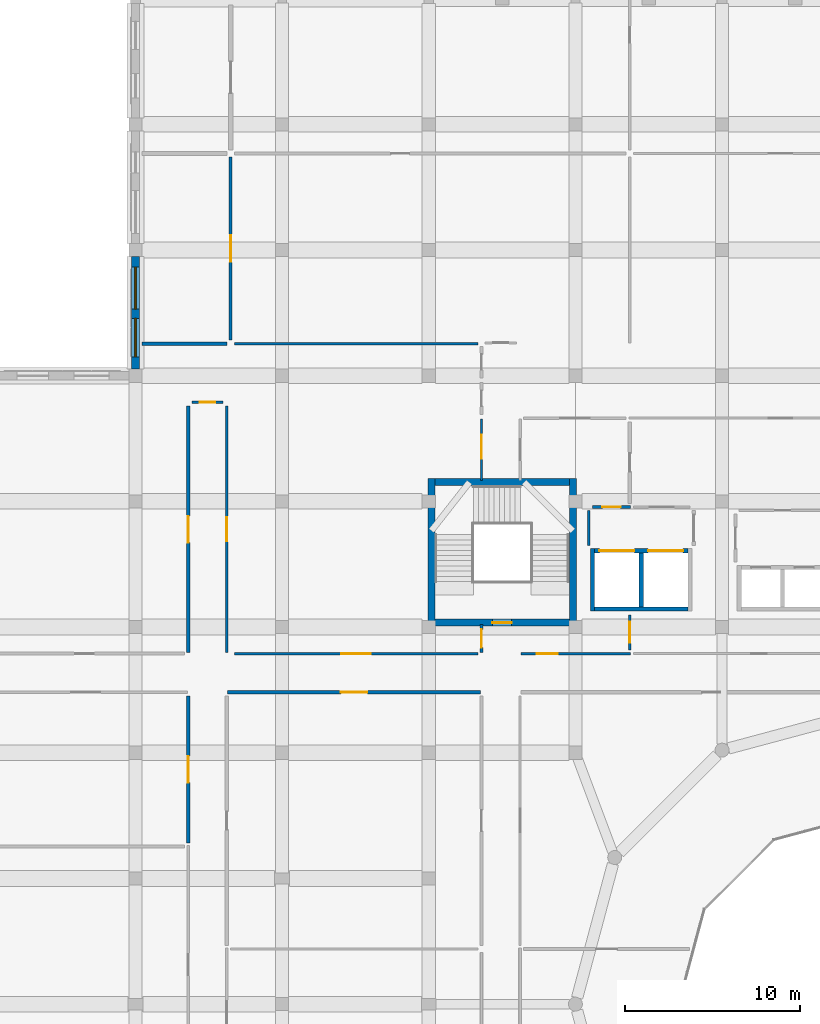
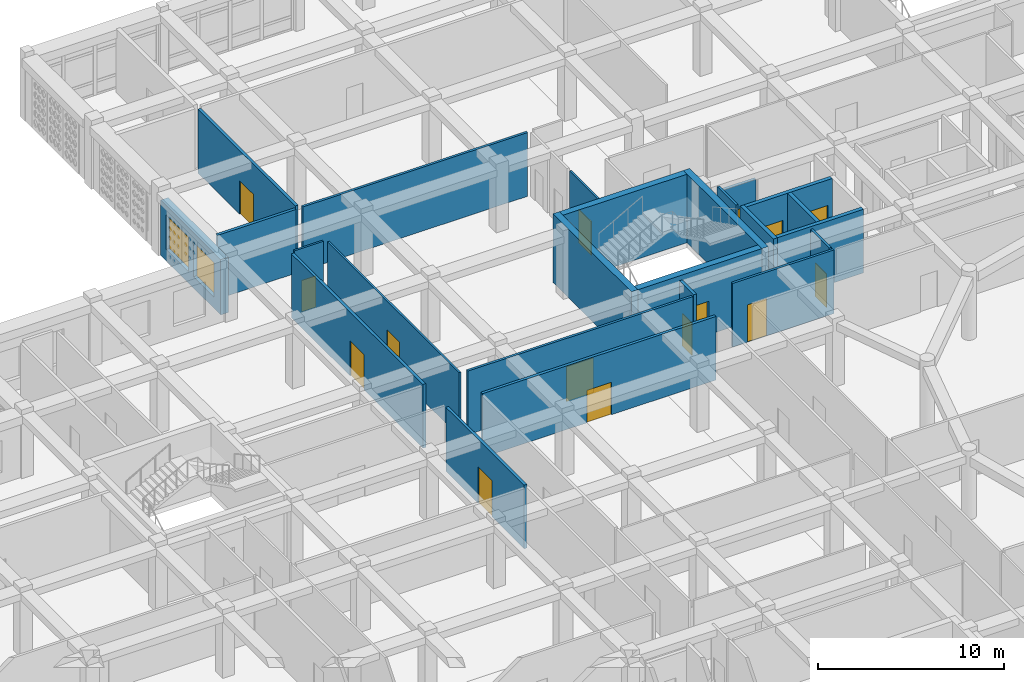
# One storey, part 81 of 121: 24 walls, 15 doors, 2 windows, 17 openings.
"""IFC4 building model written with IfcOpenShell, lengths in metres."""

from ifc_helpers import new_model, si_unit, derived_unit, direction, frame, frame_2d, origin, place, context, subcontext, project, spatial, rectangle, extrude, material, layer, layer_set, type_object, element, fill, save


model = new_model("IFC4")

# Units and contexts
model_context = context("Model", 3, precision=1e-05, world=origin(), true_north=direction((0.0, 1.0)))
body_context = subcontext(model_context, "Body", "Model", "MODEL_VIEW")
ifc_project = project(units=[si_unit("LENGTHUNIT", "METRE"), si_unit("AREAUNIT", "SQUARE_METRE"), si_unit("VOLUMEUNIT", "CUBIC_METRE"), si_unit("PLANEANGLEUNIT", "RADIAN"), si_unit("MASSUNIT", "GRAM", prefix="KILO"), derived_unit("THERMALTRANSMITTANCEUNIT", [(si_unit("POWERUNIT", "WATT"), 1), (si_unit("LENGTHUNIT", "METRE"), -2), (si_unit("THERMODYNAMICTEMPERATUREUNIT", "KELVIN"), -1)])], contexts=[model_context])

# Site, building, storey
site_placement = place(None, origin())
site = spatial("IfcSite", under=ifc_project, at=site_placement, CompositionType="ELEMENT")
building_placement = place(site_placement, origin())
building = spatial("IfcBuilding", under=site, at=building_placement, Name="Veybourne Emporium", CompositionType="ELEMENT")
storey_placement = place(building_placement, frame((0.0, 0.0, 5.39990234375)))
storey = spatial("IfcBuildingStorey", under=building, at=storey_placement, Name="L01", CompositionType="ELEMENT", Elevation=5.39990234375)

# Wall, openings, windows
ifc_material_1 = material(Name="Portland Limestone Ashlar", Category="masonry")
ifc_layer_1 = layer(ifc_material_1, 0.47998046875)
ifc_layer_set_1 = layer_set([ifc_layer_1], Name="Portland Limestone Ashlar")
wall_type_1 = type_object("IfcWallType", Name="ExtWall_EW-01", PredefinedType="SOLIDWALL", material=ifc_layer_set_1)
wall_1_placement = place(storey_placement, frame((33.60009765625, 86.77490234375, 0.0), z_axis=(0.0, 0.0, 1.0), x_axis=(0.0, 1.0, 0.0)))
wall_1 = element("IfcWall", 1, at=wall_1_placement, inside=storey, type_object=wall_type_1, Name="L01 Portland stone external wall 022", PredefinedType="SOLIDWALL", context=body_context, shape_type="SweptSolid", body=[
    extrude(rectangle(XDim=6.4501953125, YDim=0.47998046875, at=frame_2d((3.22509765625, 0.0))), origin(), (0.0, 0.0, 1.0), 3.630126953125),
])
opening_1_placement = place(wall_1_placement, frame((0.7060546875, 0.0, 0.75)))
opening_1 = element("IfcOpeningElement", 2, at=opening_1_placement, cuts=wall_1, Name="Opening W-22", PredefinedType="OPENING", context=body_context, shape_type="SweptSolid", body=[
    extrude(rectangle(XDim=2.199951171875, YDim=2.260009765625, at=frame_2d((1.10009765625, 1.1298828125))), frame((0.0, 0.260009765625, 0.0), z_axis=(0.0, -1.0, 0.0), x_axis=(1.0, 0.0, 0.0)), (0.0, 0.0, 1.0), 0.52001953125),
])
opening_2_placement = place(wall_1_placement, frame((3.444091796875, 0.0, 0.75)))
opening_2 = element("IfcOpeningElement", 3, at=opening_2_placement, cuts=wall_1, Name="Opening W-23", PredefinedType="OPENING", context=body_context, shape_type="SweptSolid", body=[
    extrude(rectangle(XDim=2.39990234375, YDim=2.260009765625, at=frame_2d((1.199951171875, 1.1298828125))), frame((0.0, 0.260009765625, 0.0), z_axis=(0.0, -1.0, 0.0), x_axis=(1.0, 0.0, 0.0)), (0.0, 0.0, 1.0), 0.52001953125),
])
ifc_material_2 = material(Name="Low-E Triple Glazing", Category="glass")
window_type_1 = type_object("IfcWindowType", Name="Win_W-22", PartitioningType="TRIPLE_PANEL_VERTICAL", PredefinedType="WINDOW", material=ifc_material_2)
window_1_placement = place(opening_1_placement, origin())
window_1 = element("IfcWindow", 4, at=window_1_placement, inside=storey, type_object=window_type_1, Name="L01 tripartite bronze casement window W-22 (22.1)", OverallHeight=2.260009765625, OverallWidth=2.199951171875, PartitioningType="TRIPLE_PANEL_VERTICAL", PredefinedType="WINDOW", context=body_context, shape_type="SweptSolid", body=[
    extrude(rectangle(XDim=2.199951171875, YDim=2.260009765625, at=frame_2d((1.10009765625, 1.1298828125))), frame((0.0, 0.030029296875, 0.0), z_axis=(0.0, -1.0, 0.0), x_axis=(1.0, 0.0, 0.0)), (0.0, 0.0, 1.0), 0.06005859375),
])
fill(opening_1, window_1)
window_type_2 = type_object("IfcWindowType", Name="Win_W-23", PartitioningType="TRIPLE_PANEL_VERTICAL", PredefinedType="WINDOW", material=ifc_material_2)
window_2_placement = place(opening_2_placement, origin())
window_2 = element("IfcWindow", 5, at=window_2_placement, inside=storey, type_object=window_type_2, Name="L01 tripartite bronze casement window W-23 (22.2)", OverallHeight=2.260009765625, OverallWidth=2.39990234375, PartitioningType="TRIPLE_PANEL_VERTICAL", PredefinedType="WINDOW", context=body_context, shape_type="SweptSolid", body=[
    extrude(rectangle(XDim=2.39990234375, YDim=2.260009765625, at=frame_2d((1.199951171875, 1.1298828125))), frame((0.0, 0.030029296875, 0.0), z_axis=(0.0, -1.0, 0.0), x_axis=(1.0, 0.0, 0.0)), (0.0, 0.0, 1.0), 0.06005859375),
])
fill(opening_2, window_2)

# Wall, opening, door
ifc_material_3 = material(Name="Concrete C40/50", Category="concrete")
ifc_layer_2 = layer(ifc_material_3, 0.39990234375)
ifc_layer_set_2 = layer_set([ifc_layer_2], Name="Concrete C40/50")
wall_type_2 = type_object("IfcWallType", Name="IntWall_CW-01", PredefinedType="SHEAR", material=ifc_layer_set_2)
wall_2_placement = place(storey_placement, frame((58.449951171875, 72.25, 0.0), z_axis=(0.0, 0.0, 1.0), x_axis=(-1.0, 0.0, 0.0)))
wall_2 = element("IfcWall", 6, at=wall_2_placement, inside=storey, type_object=wall_type_2, Name="Core stair ST-03 south shear wall (L01)", PredefinedType="SHEAR", context=body_context, shape_type="SweptSolid", body=[
    extrude(rectangle(XDim=7.699951171875, YDim=0.39990234375, at=frame_2d((3.85009765625, 0.0))), origin(), (0.0, 0.0, 1.0), 4.5),
])
opening_3_placement = place(wall_2_placement, frame((3.300048828125, 0.0, 0.0)))
opening_3 = element("IfcOpeningElement", 7, at=opening_3_placement, cuts=wall_2, Name="Opening FD-01", PredefinedType="OPENING", context=body_context, shape_type="SweptSolid", body=[
    extrude(rectangle(XDim=1.10009765625, YDim=2.199951171875, at=frame_2d((0.550048828125, 1.10009765625))), frame((0.0, 0.219970703125, 0.0), z_axis=(0.0, -1.0, 0.0), x_axis=(1.0, 0.0, 0.0)), (0.0, 0.0, 1.0), 0.43994140625),
])
ifc_material_4 = material(Name="Patinated Architectural Bronze", Category="bronze")
door_type_1 = type_object("IfcDoorType", Name="FireDoor_FD-01", OperationType="NOTDEFINED", PredefinedType="DOOR", material=ifc_material_4)
door_1_placement = place(opening_3_placement, origin())
door_1 = element("IfcDoor", 8, at=door_1_placement, inside=storey, type_object=door_type_1, Name="Stair ST-03 fire door (L01)", OperationType="SINGLE_SWING_RIGHT", OverallHeight=2.199951171875, OverallWidth=1.10009765625, PredefinedType="DOOR", context=body_context, shape_type="SweptSolid", body=[
    extrude(rectangle(XDim=1.10009765625, YDim=2.199951171875, at=frame_2d((0.550048828125, 1.10009765625))), frame((0.0, 0.02490234375, 0.0), z_axis=(0.0, -1.0, 0.0), x_axis=(1.0, 0.0, 0.0)), (0.0, 0.0, 1.0), 0.050048828125),
])
fill(opening_3, door_1)

# Walls
wall_3_placement = place(storey_placement, frame((50.75, 80.300048828125, 0.0), z_axis=(0.0, 0.0, 1.0), x_axis=(1.0, 0.0, 0.0)))
element("IfcWall", 9, at=wall_3_placement, inside=storey, type_object=wall_type_2, Name="Core stair ST-03 north shear wall (L01)", PredefinedType="SHEAR", context=body_context, shape_type="SweptSolid", body=[
    extrude(rectangle(XDim=7.699951171875, YDim=0.39990234375, at=frame_2d((3.85009765625, 0.0))), origin(), (0.0, 0.0, 1.0), 4.5),
])
for number, where, z_axis, x_axis, name in (
    (10, (50.550048828125, 80.5, 0.0), (0.0, 0.0, 1.0), (0.0, -1.0, 0.0), "Core stair ST-03 west shear wall (L01)"),
    (11, (58.64990234375, 72.050048828125, 0.0), (0.0, 0.0, 1.0), (0.0, 1.0, 0.0), "Core stair ST-03 east shear wall (L01)"),
):
    element("IfcWall", number, at=place(storey_placement, frame(where, z_axis=z_axis, x_axis=x_axis)), inside=storey, type_object=wall_type_2, Name=name, PredefinedType="SHEAR", context=body_context, shape_type="SweptSolid", body=[
        extrude(rectangle(XDim=8.449951171875, YDim=0.39990234375, at=frame_2d((4.22509765625, 0.0))), origin(), (0.0, 0.0, 1.0), 4.5),
    ])

# Wall, openings, doors
ifc_layer_3 = layer(ifc_material_3, 0.239990234375)
ifc_layer_set_3 = layer_set([ifc_layer_3], Name="Concrete C40/50")
wall_type_3 = type_object("IfcWallType", Name="IntWall_CW-04", PredefinedType="SHEAR", material=ifc_layer_set_3)
wall_4_placement = place(storey_placement, frame((65.239990234375, 76.3701171875, 0.0), z_axis=(0.0, 0.0, 1.0), x_axis=(-1.0, 0.0, 0.0)))
wall_4 = element("IfcWall", 12, at=wall_4_placement, inside=storey, type_object=wall_type_3, Name="Lift core C4G north shaft wall (L01)", PredefinedType="SHEAR", context=body_context, shape_type="SweptSolid", body=[
    extrude(rectangle(XDim=5.340087890625, YDim=0.239990234375, at=frame_2d((2.669921875, 0.0))), origin(), (0.0, 0.0, 1.0), 4.18017578125),
])
opening_4_placement = place(wall_4_placement, frame((3.06494140625, 0.0, 0.0)))
opening_4 = element("IfcOpeningElement", 13, at=opening_4_placement, cuts=wall_4, Name="Opening LD-03", PredefinedType="OPENING", context=body_context, shape_type="SweptSolid", body=[
    extrude(rectangle(XDim=2.0, YDim=2.5, at=frame_2d((1.0, 1.25))), frame((0.0, 0.14013671875, 0.0), z_axis=(0.0, -1.0, 0.0), x_axis=(1.0, 0.0, 0.0)), (0.0, 0.0, 1.0), 0.280029296875),
])
opening_5_placement = place(wall_4_placement, frame((0.27490234375, 0.0, 0.0)))
opening_5 = element("IfcOpeningElement", 14, at=opening_5_placement, cuts=wall_4, Name="Opening LD-03", PredefinedType="OPENING", context=body_context, shape_type="SweptSolid", body=[
    extrude(rectangle(XDim=2.0, YDim=2.5, at=frame_2d((1.0, 1.25))), frame((0.0, 0.14013671875, 0.0), z_axis=(0.0, -1.0, 0.0), x_axis=(1.0, 0.0, 0.0)), (0.0, 0.0, 1.0), 0.280029296875),
])
door_type_2 = type_object("IfcDoorType", Name="FireDoor_LD-03", OperationType="DOUBLE_DOOR_SLIDING", PredefinedType="DOOR", material=ifc_material_4)
door_2_placement = place(opening_4_placement, origin())
door_2 = element("IfcDoor", 15, at=door_2_placement, inside=storey, type_object=door_type_2, Name="Lift GL-01 sliding landing door (L01)", OperationType="DOUBLE_DOOR_SLIDING", OverallHeight=2.5, OverallWidth=2.0, PredefinedType="DOOR", context=body_context, shape_type="SweptSolid", body=[
    extrude(rectangle(XDim=2.0, YDim=2.5, at=frame_2d((1.0, 1.25))), frame((0.0, 0.02490234375, 0.0), z_axis=(0.0, -1.0, 0.0), x_axis=(1.0, 0.0, 0.0)), (0.0, 0.0, 1.0), 0.050048828125),
])
fill(opening_4, door_2)
door_3_placement = place(opening_5_placement, origin())
door_3 = element("IfcDoor", 16, at=door_3_placement, inside=storey, type_object=door_type_2, Name="Lift GL-02 sliding landing door (L01)", OperationType="DOUBLE_DOOR_SLIDING", OverallHeight=2.5, OverallWidth=2.0, PredefinedType="DOOR", context=body_context, shape_type="SweptSolid", body=[
    extrude(rectangle(XDim=2.0, YDim=2.5, at=frame_2d((1.0, 1.25))), frame((0.0, 0.02490234375, 0.0), z_axis=(0.0, -1.0, 0.0), x_axis=(1.0, 0.0, 0.0)), (0.0, 0.0, 1.0), 0.050048828125),
])
fill(opening_5, door_3)

# Walls
wall_5_placement = place(storey_placement, frame((59.89990234375, 73.030029296875, 0.0), z_axis=(0.0, 0.0, 1.0), x_axis=(1.0, 0.0, 0.0)))
element("IfcWall", 17, at=wall_5_placement, inside=storey, type_object=wall_type_3, Name="Lift core C4G south shaft wall (L01)", PredefinedType="SHEAR", context=body_context, shape_type="SweptSolid", body=[
    extrude(rectangle(XDim=5.340087890625, YDim=0.239990234375, at=frame_2d((2.669921875, 0.0))), origin(), (0.0, 0.0, 1.0), 4.18017578125),
])
wall_6_placement = place(storey_placement, frame((59.780029296875, 76.489990234375, 0.0), z_axis=(0.0, 0.0, 1.0), x_axis=(0.0, -1.0, 0.0)))
element("IfcWall", 18, at=wall_6_placement, inside=storey, type_object=wall_type_3, Name="Lift core C4G west shaft wall (L01)", PredefinedType="SHEAR", context=body_context, shape_type="SweptSolid", body=[
    extrude(rectangle(XDim=3.580078125, YDim=0.239990234375, at=frame_2d((1.7900390625, 0.0))), origin(), (0.0, 0.0, 1.0), 4.18017578125),
])
wall_7_placement = place(storey_placement, frame((62.570068359375, 73.14990234375, 0.0), z_axis=(0.0, 0.0, 1.0), x_axis=(0.0, 1.0, 0.0)))
element("IfcWall", 19, at=wall_7_placement, inside=storey, type_object=wall_type_3, Name="Lift core C4G divider wall 1 (L01)", PredefinedType="SHEAR", context=body_context, shape_type="SweptSolid", body=[
    extrude(rectangle(XDim=3.10009765625, YDim=0.239990234375, at=frame_2d((1.550048828125, 0.0))), origin(), (0.0, 0.0, 1.0), 4.18017578125),
])

# Wall, opening, door
ifc_material_5 = material(Name="Gypsum Acoustic Board", Category="gypsum")
ifc_layer_4 = layer(ifc_material_5, 0.179931640625)
ifc_layer_set_4 = layer_set([ifc_layer_4], Name="Gypsum Acoustic Board")
wall_type_4 = type_object("IfcWallType", Name="IntWall_IW-01", PredefinedType="PARTITIONING", material=ifc_layer_set_4)
wall_8_placement = place(storey_placement, frame((38.8798828125, 68.27001953125, 0.0), z_axis=(0.0, 0.0, 1.0), x_axis=(1.0, 0.0, 0.0)))
wall_8 = element("IfcWall", 20, at=wall_8_placement, inside=storey, type_object=wall_type_4, Name="L01 interior partition IW-01 #022", PredefinedType="PARTITIONING", context=body_context, shape_type="SweptSolid", body=[
    extrude(rectangle(XDim=14.490234375, YDim=0.179931640625, at=frame_2d((7.2451171875, 0.0))), origin(), (0.0, 0.0, 1.0), 4.18017578125),
])
opening_6_placement = place(wall_8_placement, frame((6.485107421875, 0.0, 0.0)))
opening_6 = element("IfcOpeningElement", 21, at=opening_6_placement, cuts=wall_8, Name="Opening D-11", PredefinedType="OPENING", context=body_context, shape_type="SweptSolid", body=[
    extrude(rectangle(XDim=1.52001953125, YDim=2.1298828125, at=frame_2d((0.760009765625, 1.06494140625))), frame((0.0, 0.10986328125, 0.0), z_axis=(0.0, -1.0, 0.0), x_axis=(1.0, 0.0, 0.0)), (0.0, 0.0, 1.0), 0.219970703125),
])
ifc_material_6 = material(Name="European Oak Veneer and Bronze", Category="wood")
door_type_3 = type_object("IfcDoorType", Name="IntDoor_D-11", OperationType="NOTDEFINED", PredefinedType="DOOR", material=ifc_material_6)
door_4_placement = place(opening_6_placement, origin())
door_4 = element("IfcDoor", 22, at=door_4_placement, inside=storey, type_object=door_type_3, Name="L01 interior door D-11 (PART-L01-022)", OperationType="SINGLE_SWING_LEFT", OverallHeight=2.1298828125, OverallWidth=1.52001953125, PredefinedType="DOOR", context=body_context, shape_type="SweptSolid", body=[
    extrude(rectangle(XDim=1.52001953125, YDim=2.1298828125, at=frame_2d((0.760009765625, 1.06494140625))), frame((0.0, 0.02490234375, 0.0), z_axis=(0.0, -1.0, 0.0), x_axis=(1.0, 0.0, 0.0)), (0.0, 0.0, 1.0), 0.050048828125),
])
fill(opening_6, door_4)

wall_9_placement = place(storey_placement, frame((36.6201171875, 70.530029296875, 0.0), z_axis=(0.0, 0.0, 1.0), x_axis=(0.0, 1.0, 0.0)))
wall_9 = element("IfcWall", 23, at=wall_9_placement, inside=storey, type_object=wall_type_4, Name="L01 interior partition IW-01 #034", PredefinedType="PARTITIONING", context=body_context, shape_type="SweptSolid", body=[
    extrude(rectangle(XDim=14.139892578125, YDim=0.179931640625, at=frame_2d((7.06982421875, 0.0))), origin(), (0.0, 0.0, 1.0), 4.18017578125),
])
opening_7_placement = place(wall_9_placement, frame((6.31005859375, 0.0, 0.0)))
opening_7 = element("IfcOpeningElement", 24, at=opening_7_placement, cuts=wall_9, Name="Opening D-23", PredefinedType="OPENING", context=body_context, shape_type="SweptSolid", body=[
    extrude(rectangle(XDim=1.52001953125, YDim=2.2900390625, at=frame_2d((0.760009765625, 1.14501953125))), frame((0.0, 0.10986328125, 0.0), z_axis=(0.0, -1.0, 0.0), x_axis=(1.0, 0.0, 0.0)), (0.0, 0.0, 1.0), 0.219970703125),
])
door_type_4 = type_object("IfcDoorType", Name="IntDoor_D-23", OperationType="NOTDEFINED", PredefinedType="DOOR", material=ifc_material_6)
door_5_placement = place(opening_7_placement, origin())
door_5 = element("IfcDoor", 25, at=door_5_placement, inside=storey, type_object=door_type_4, Name="L01 interior door D-23 (PART-L01-034)", OperationType="SINGLE_SWING_RIGHT", OverallHeight=2.2900390625, OverallWidth=1.52001953125, PredefinedType="DOOR", context=body_context, shape_type="SweptSolid", body=[
    extrude(rectangle(XDim=1.52001953125, YDim=2.2900390625, at=frame_2d((0.760009765625, 1.14501953125))), frame((0.0, 0.02490234375, 0.0), z_axis=(0.0, -1.0, 0.0), x_axis=(1.0, 0.0, 0.0)), (0.0, 0.0, 1.0), 0.050048828125),
])
fill(opening_7, door_5)

wall_10_placement = place(storey_placement, frame((36.6201171875, 59.639892578125, 0.0), z_axis=(0.0, 0.0, 1.0), x_axis=(0.0, 1.0, 0.0)))
wall_10 = element("IfcWall", 26, at=wall_10_placement, inside=storey, type_object=wall_type_4, Name="L01 interior partition IW-01 #076", PredefinedType="PARTITIONING", context=body_context, shape_type="SweptSolid", body=[
    extrude(rectangle(XDim=8.420166015625, YDim=0.179931640625, at=frame_2d((4.2099609375, 0.0))), origin(), (0.0, 0.0, 1.0), 4.18017578125),
])
opening_8_placement = place(wall_10_placement, frame((3.449951171875, 0.0, 0.0)))
opening_8 = element("IfcOpeningElement", 27, at=opening_8_placement, cuts=wall_10, Name="Opening D-29", PredefinedType="OPENING", context=body_context, shape_type="SweptSolid", body=[
    extrude(rectangle(XDim=1.52001953125, YDim=2.3701171875, at=frame_2d((0.760009765625, 1.18505859375))), frame((0.0, 0.10986328125, 0.0), z_axis=(0.0, -1.0, 0.0), x_axis=(1.0, 0.0, 0.0)), (0.0, 0.0, 1.0), 0.219970703125),
])
door_type_5 = type_object("IfcDoorType", Name="IntDoor_D-29", OperationType="NOTDEFINED", PredefinedType="DOOR", material=ifc_material_6)
door_6_placement = place(opening_8_placement, origin())
door_6 = element("IfcDoor", 28, at=door_6_placement, inside=storey, type_object=door_type_5, Name="L01 interior door D-29 (PART-L01-076)", OperationType="SINGLE_SWING_RIGHT", OverallHeight=2.3701171875, OverallWidth=1.52001953125, PredefinedType="DOOR", context=body_context, shape_type="SweptSolid", body=[
    extrude(rectangle(XDim=1.52001953125, YDim=2.3701171875, at=frame_2d((0.760009765625, 1.18505859375))), frame((0.0, 0.02490234375, 0.0), z_axis=(0.0, -1.0, 0.0), x_axis=(1.0, 0.0, 0.0)), (0.0, 0.0, 1.0), 0.050048828125),
])
fill(opening_8, door_6)

wall_11_placement = place(storey_placement, frame((59.780029296875, 78.8798828125, 0.0), z_axis=(0.0, 0.0, 1.0), x_axis=(1.0, 0.0, 0.0)))
wall_11 = element("IfcWall", 29, at=wall_11_placement, inside=storey, type_object=wall_type_4, Name="L01 interior partition IW-01 #127", PredefinedType="PARTITIONING", context=body_context, shape_type="SweptSolid", body=[
    extrude(rectangle(XDim=2.181884765625, YDim=0.179931640625, at=frame_2d((1.0908203125, 0.0))), origin(), (0.0, 0.0, 1.0), 3.72998046875),
])
opening_9_placement = place(wall_11_placement, frame((0.571044921875, 0.0, 0.0)))
opening_9 = element("IfcOpeningElement", 30, at=opening_9_placement, cuts=wall_11, Name="Opening D-08", PredefinedType="OPENING", context=body_context, shape_type="SweptSolid", body=[
    extrude(rectangle(XDim=1.0400390625, YDim=2.1298828125, at=frame_2d((0.52001953125, 1.06494140625))), frame((0.0, 0.10986328125, 0.0), z_axis=(0.0, -1.0, 0.0), x_axis=(1.0, 0.0, 0.0)), (0.0, 0.0, 1.0), 0.219970703125),
])
door_type_6 = type_object("IfcDoorType", Name="IntDoor_D-08", OperationType="NOTDEFINED", PredefinedType="DOOR", material=ifc_material_6)
door_7_placement = place(opening_9_placement, origin())
door_7 = element("IfcDoor", 31, at=door_7_placement, inside=storey, type_object=door_type_6, Name="L01 interior door D-08 (PART-L01-127)", OperationType="SINGLE_SWING_RIGHT", OverallHeight=2.1298828125, OverallWidth=1.0400390625, PredefinedType="DOOR", context=body_context, shape_type="SweptSolid", body=[
    extrude(rectangle(XDim=1.0400390625, YDim=2.1298828125, at=frame_2d((0.52001953125, 1.06494140625))), frame((0.0, 0.02490234375, 0.0), z_axis=(0.0, -1.0, 0.0), x_axis=(1.0, 0.0, 0.0)), (0.0, 0.0, 1.0), 0.050048828125),
])
fill(opening_9, door_7)

wall_12_placement = place(storey_placement, frame((53.419921875, 70.530029296875, 0.0), z_axis=(0.0, 0.0, 1.0), x_axis=(0.0, 1.0, 0.0)))
wall_12 = element("IfcWall", 32, at=wall_12_placement, inside=storey, type_object=wall_type_4, Name="L01 interior partition IW-01 #163", PredefinedType="PARTITIONING", context=body_context, shape_type="SweptSolid", body=[
    extrude(rectangle(XDim=1.6298828125, YDim=0.179931640625, at=frame_2d((0.81494140625, 0.0))), origin(), (0.0, 0.0, 1.0), 4.18017578125),
])
opening_10_placement = place(wall_12_placement, frame((0.294921875, 0.0, 0.0)))
opening_10 = element("IfcOpeningElement", 33, at=opening_10_placement, cuts=wall_12, Name="Opening D-08", PredefinedType="OPENING", context=body_context, shape_type="SweptSolid", body=[
    extrude(rectangle(XDim=1.0400390625, YDim=2.1298828125, at=frame_2d((0.52001953125, 1.06494140625))), frame((0.0, 0.10986328125, 0.0), z_axis=(0.0, -1.0, 0.0), x_axis=(1.0, 0.0, 0.0)), (0.0, 0.0, 1.0), 0.219970703125),
])
door_8_placement = place(opening_10_placement, origin())
door_8 = element("IfcDoor", 34, at=door_8_placement, inside=storey, type_object=door_type_6, Name="L01 interior door D-08 (PART-L01-163)", OperationType="SINGLE_SWING_RIGHT", OverallHeight=2.1298828125, OverallWidth=1.0400390625, PredefinedType="DOOR", context=body_context, shape_type="SweptSolid", body=[
    extrude(rectangle(XDim=1.0400390625, YDim=2.1298828125, at=frame_2d((0.52001953125, 1.06494140625))), frame((0.0, 0.02490234375, 0.0), z_axis=(0.0, -1.0, 0.0), x_axis=(1.0, 0.0, 0.0)), (0.0, 0.0, 1.0), 0.050048828125),
])
fill(opening_10, door_8)

wall_13_placement = place(storey_placement, frame((39.048095703125, 88.43994140625, 0.0), z_axis=(0.0, 0.0, 1.0), x_axis=(0.0, 1.0, 0.0)))
wall_13 = element("IfcWall", 35, at=wall_13_placement, inside=storey, type_object=wall_type_4, Name="L01 interior partition IW-01 #184", PredefinedType="PARTITIONING", context=body_context, shape_type="SweptSolid", body=[
    extrude(rectangle(XDim=10.47998046875, YDim=0.179931640625, at=frame_2d((5.239990234375, 0.0))), origin(), (0.0, 0.0, 1.0), 4.18017578125),
])
opening_11_placement = place(wall_13_placement, frame((4.47998046875, 0.0, 0.0)))
opening_11 = element("IfcOpeningElement", 36, at=opening_11_placement, cuts=wall_13, Name="Opening D-17", PredefinedType="OPENING", context=body_context, shape_type="SweptSolid", body=[
    extrude(rectangle(XDim=1.52001953125, YDim=2.2099609375, at=frame_2d((0.760009765625, 1.10498046875))), frame((0.0, 0.10986328125, 0.0), z_axis=(0.0, -1.0, 0.0), x_axis=(1.0, 0.0, 0.0)), (0.0, 0.0, 1.0), 0.219970703125),
])
door_type_7 = type_object("IfcDoorType", Name="IntDoor_D-17", OperationType="NOTDEFINED", PredefinedType="DOOR", material=ifc_material_6)
door_9_placement = place(opening_11_placement, origin())
door_9 = element("IfcDoor", 37, at=door_9_placement, inside=storey, type_object=door_type_7, Name="L01 interior door D-17 (PART-L01-184)", OperationType="SINGLE_SWING_RIGHT", OverallHeight=2.2099609375, OverallWidth=1.52001953125, PredefinedType="DOOR", context=body_context, shape_type="SweptSolid", body=[
    extrude(rectangle(XDim=1.52001953125, YDim=2.2099609375, at=frame_2d((0.760009765625, 1.10498046875))), frame((0.0, 0.02490234375, 0.0), z_axis=(0.0, -1.0, 0.0), x_axis=(1.0, 0.0, 0.0)), (0.0, 0.0, 1.0), 0.050048828125),
])
fill(opening_11, door_9)

# Wall
wall_14_placement = place(storey_placement, frame((33.969970703125, 88.22998046875, 0.0), z_axis=(0.0, 0.0, 1.0), x_axis=(1.0, 0.0, 0.0)))
element("IfcWall", 38, at=wall_14_placement, inside=storey, type_object=wall_type_4, Name="L01 interior partition IW-01 #193", PredefinedType="PARTITIONING", context=body_context, shape_type="SweptSolid", body=[
    extrude(rectangle(XDim=4.867919921875, YDim=0.179931640625, at=frame_2d((2.43408203125, 0.0))), origin(), (0.0, 0.0, 1.0), 4.18017578125),
])

# Wall, opening, door
ifc_layer_5 = layer(ifc_material_5, 0.14990234375)
ifc_layer_set_5 = layer_set([ifc_layer_5], Name="Gypsum Acoustic Board")
wall_type_5 = type_object("IfcWallType", Name="IntWall_IW-02", PredefinedType="PARTITIONING", material=ifc_layer_set_5)
wall_15_placement = place(storey_placement, frame((39.258056640625, 70.47998046875, 0.0), z_axis=(0.0, 0.0, 1.0), x_axis=(1.0, 0.0, 0.0)))
wall_15 = element("IfcWall", 39, at=wall_15_placement, inside=storey, type_object=wall_type_5, Name="L01 interior partition IW-02 #035", PredefinedType="PARTITIONING", context=body_context, shape_type="SweptSolid", body=[
    extrude(rectangle(XDim=13.951904296875, YDim=0.14990234375, at=frame_2d((6.97607421875, 0.0))), origin(), (0.0, 0.0, 1.0), 4.18017578125),
])
opening_12_placement = place(wall_15_placement, frame((6.135986328125, 0.0, 0.0)))
opening_12 = element("IfcOpeningElement", 40, at=opening_12_placement, cuts=wall_15, Name="Opening D-24", PredefinedType="OPENING", context=body_context, shape_type="SweptSolid", body=[
    extrude(rectangle(XDim=1.679931640625, YDim=2.2900390625, at=frame_2d((0.83984375, 1.14501953125))), frame((0.0, 0.094970703125, 0.0), z_axis=(0.0, -1.0, 0.0), x_axis=(1.0, 0.0, 0.0)), (0.0, 0.0, 1.0), 0.18994140625),
])
door_type_8 = type_object("IfcDoorType", Name="IntDoor_D-24", OperationType="DOUBLE_DOOR_SINGLE_SWING", PredefinedType="DOOR", material=ifc_material_6)
door_10_placement = place(opening_12_placement, origin())
door_10 = element("IfcDoor", 41, at=door_10_placement, inside=storey, type_object=door_type_8, Name="L01 interior door D-24 (PART-L01-035)", OperationType="DOUBLE_DOOR_SINGLE_SWING", OverallHeight=2.2900390625, OverallWidth=1.679931640625, PredefinedType="DOOR", context=body_context, shape_type="SweptSolid", body=[
    extrude(rectangle(XDim=1.679931640625, YDim=2.2900390625, at=frame_2d((0.83984375, 1.14501953125))), frame((0.0, 0.02490234375, 0.0), z_axis=(0.0, -1.0, 0.0), x_axis=(1.0, 0.0, 0.0)), (0.0, 0.0, 1.0), 0.050048828125),
])
fill(opening_12, door_10)

wall_16_placement = place(storey_placement, frame((55.679931640625, 70.47998046875, 0.0), z_axis=(0.0, 0.0, 1.0), x_axis=(1.0, 0.0, 0.0)))
wall_16 = element("IfcWall", 42, at=wall_16_placement, inside=storey, type_object=wall_type_5, Name="L01 interior partition IW-02 #080", PredefinedType="PARTITIONING", context=body_context, shape_type="SweptSolid", body=[
    extrude(rectangle(XDim=6.281982421875, YDim=0.14990234375, at=frame_2d((3.14111328125, 0.0))), origin(), (0.0, 0.0, 1.0), 4.18017578125),
])
opening_13_placement = place(wall_16_placement, frame((0.914794921875, 0.0, 0.0)))
opening_13 = element("IfcOpeningElement", 43, at=opening_13_placement, cuts=wall_16, Name="Opening D-33", PredefinedType="OPENING", context=body_context, shape_type="SweptSolid", body=[
    extrude(rectangle(XDim=1.199951171875, YDim=2.449951171875, at=frame_2d((0.60009765625, 1.22509765625))), frame((0.0, 0.094970703125, 0.0), z_axis=(0.0, -1.0, 0.0), x_axis=(1.0, 0.0, 0.0)), (0.0, 0.0, 1.0), 0.18994140625),
])
door_type_9 = type_object("IfcDoorType", Name="IntDoor_D-33", OperationType="NOTDEFINED", PredefinedType="DOOR", material=ifc_material_6)
door_11_placement = place(opening_13_placement, origin())
door_11 = element("IfcDoor", 44, at=door_11_placement, inside=storey, type_object=door_type_9, Name="L01 interior door D-33 (PART-L01-080)", OperationType="SINGLE_SWING_LEFT", OverallHeight=2.449951171875, OverallWidth=1.199951171875, PredefinedType="DOOR", context=body_context, shape_type="SweptSolid", body=[
    extrude(rectangle(XDim=1.199951171875, YDim=2.449951171875, at=frame_2d((0.60009765625, 1.22509765625))), frame((0.0, 0.02490234375, 0.0), z_axis=(0.0, -1.0, 0.0), x_axis=(1.0, 0.0, 0.0)), (0.0, 0.0, 1.0), 0.050048828125),
])
fill(opening_13, door_11)

wall_17_placement = place(storey_placement, frame((61.912109375, 70.68994140625, 0.0), z_axis=(0.0, 0.0, 1.0), x_axis=(0.0, 1.0, 0.0)))
wall_17 = element("IfcWall", 45, at=wall_17_placement, inside=storey, type_object=wall_type_5, Name="L01 interior partition IW-02 #134", PredefinedType="PARTITIONING", context=body_context, shape_type="SweptSolid", body=[
    extrude(rectangle(XDim=2.010009765625, YDim=0.14990234375, at=frame_2d((1.0048828125, 0.0))), origin(), (0.0, 0.0, 1.0), 4.18017578125),
])
opening_14_placement = place(wall_17_placement, frame((0.405029296875, 0.0, 0.0)))
opening_14 = element("IfcOpeningElement", 46, at=opening_14_placement, cuts=wall_17, Name="Opening D-15", PredefinedType="OPENING", context=body_context, shape_type="SweptSolid", body=[
    extrude(rectangle(XDim=1.199951171875, YDim=2.2099609375, at=frame_2d((0.60009765625, 1.10498046875))), frame((0.0, 0.094970703125, 0.0), z_axis=(0.0, -1.0, 0.0), x_axis=(1.0, 0.0, 0.0)), (0.0, 0.0, 1.0), 0.18994140625),
])
door_type_10 = type_object("IfcDoorType", Name="IntDoor_D-15", OperationType="NOTDEFINED", PredefinedType="DOOR", material=ifc_material_6)
door_12_placement = place(opening_14_placement, origin())
door_12 = element("IfcDoor", 47, at=door_12_placement, inside=storey, type_object=door_type_10, Name="L01 interior door D-15 (PART-L01-134)", OperationType="SINGLE_SWING_LEFT", OverallHeight=2.2099609375, OverallWidth=1.199951171875, PredefinedType="DOOR", context=body_context, shape_type="SweptSolid", body=[
    extrude(rectangle(XDim=1.199951171875, YDim=2.2099609375, at=frame_2d((0.60009765625, 1.10498046875))), frame((0.0, 0.02490234375, 0.0), z_axis=(0.0, -1.0, 0.0), x_axis=(1.0, 0.0, 0.0)), (0.0, 0.0, 1.0), 0.050048828125),
])
fill(opening_14, door_12)

# Walls
wall_18_placement = place(storey_placement, frame((59.570068359375, 76.672119140625, 0.0), z_axis=(0.0, 0.0, 1.0), x_axis=(0.0, 1.0, 0.0)))
element("IfcWall", 48, at=wall_18_placement, inside=storey, type_object=wall_type_5, Name="L01 interior partition IW-02 #137", PredefinedType="PARTITIONING", context=body_context, shape_type="SweptSolid", body=[
    extrude(rectangle(XDim=1.997802734375, YDim=0.14990234375, at=frame_2d((0.9990234375, 0.0))), origin(), (0.0, 0.0, 1.0), 4.18017578125),
])
wall_19_placement = place(storey_placement, frame((39.258056640625, 88.22998046875, 0.0), z_axis=(0.0, 0.0, 1.0), x_axis=(1.0, 0.0, 0.0)))
element("IfcWall", 49, at=wall_19_placement, inside=storey, type_object=wall_type_5, Name="L01 interior partition IW-02 #179", PredefinedType="PARTITIONING", context=body_context, shape_type="SweptSolid", body=[
    extrude(rectangle(XDim=13.951904296875, YDim=0.14990234375, at=frame_2d((6.97607421875, 0.0))), origin(), (0.0, 0.0, 1.0), 4.18017578125),
])

# Wall, opening, door
ifc_layer_6 = layer(ifc_material_5, 0.1201171875)
ifc_layer_set_6 = layer_set([ifc_layer_6], Name="Gypsum Acoustic Board")
wall_type_6 = type_object("IfcWallType", Name="IntWall_IW-03", PredefinedType="PARTITIONING", material=ifc_layer_set_6)
wall_20_placement = place(storey_placement, frame((38.830078125, 70.530029296875, 0.0), z_axis=(0.0, 0.0, 1.0), x_axis=(0.0, 1.0, 0.0)))
wall_20 = element("IfcWall", 50, at=wall_20_placement, inside=storey, type_object=wall_type_6, Name="L01 interior partition IW-03 #033", PredefinedType="PARTITIONING", context=body_context, shape_type="SweptSolid", body=[
    extrude(rectangle(XDim=14.139892578125, YDim=0.1201171875, at=frame_2d((7.06982421875, 0.0))), origin(), (0.0, 0.0, 1.0), 4.18017578125),
])
opening_15_placement = place(wall_20_placement, frame((6.389892578125, 0.0, 0.0)))
opening_15 = element("IfcOpeningElement", 51, at=opening_15_placement, cuts=wall_20, Name="Opening D-22", PredefinedType="OPENING", context=body_context, shape_type="SweptSolid", body=[
    extrude(rectangle(XDim=1.360107421875, YDim=2.2900390625, at=frame_2d((0.68017578125, 1.14501953125))), frame((0.0, 0.080078125, 0.0), z_axis=(0.0, -1.0, 0.0), x_axis=(1.0, 0.0, 0.0)), (0.0, 0.0, 1.0), 0.16015625),
])
door_type_11 = type_object("IfcDoorType", Name="IntDoor_D-22", OperationType="NOTDEFINED", PredefinedType="DOOR", material=ifc_material_6)
door_13_placement = place(opening_15_placement, origin())
door_13 = element("IfcDoor", 52, at=door_13_placement, inside=storey, type_object=door_type_11, Name="L01 interior door D-22 (PART-L01-033)", OperationType="SINGLE_SWING_LEFT", OverallHeight=2.2900390625, OverallWidth=1.360107421875, PredefinedType="DOOR", context=body_context, shape_type="SweptSolid", body=[
    extrude(rectangle(XDim=1.360107421875, YDim=2.2900390625, at=frame_2d((0.68017578125, 1.14501953125))), frame((0.0, 0.02490234375, 0.0), z_axis=(0.0, -1.0, 0.0), x_axis=(1.0, 0.0, 0.0)), (0.0, 0.0, 1.0), 0.050048828125),
])
fill(opening_15, door_13)

wall_21_placement = place(storey_placement, frame((53.419921875, 80.389892578125, 0.0), z_axis=(0.0, 0.0, 1.0), x_axis=(0.0, 1.0, 0.0)))
wall_21 = element("IfcWall", 53, at=wall_21_placement, inside=storey, type_object=wall_type_6, Name="L01 interior partition IW-03 #099", PredefinedType="PARTITIONING", context=body_context, shape_type="SweptSolid", body=[
    extrude(rectangle(XDim=3.530029296875, YDim=0.1201171875, at=frame_2d((1.76513671875, 0.0))), origin(), (0.0, 0.0, 1.0), 4.18017578125),
])
opening_16_placement = place(wall_21_placement, frame((1.258544921875, 0.0, 0.0)))
opening_16 = element("IfcOpeningElement", 54, at=opening_16_placement, cuts=wall_21, Name="Opening D-16", PredefinedType="OPENING", context=body_context, shape_type="SweptSolid", body=[
    extrude(rectangle(XDim=1.360107421875, YDim=2.2099609375, at=frame_2d((0.68017578125, 1.10498046875))), frame((0.0, 0.080078125, 0.0), z_axis=(0.0, -1.0, 0.0), x_axis=(1.0, 0.0, 0.0)), (0.0, 0.0, 1.0), 0.16015625),
])
door_type_12 = type_object("IfcDoorType", Name="IntDoor_D-16", OperationType="NOTDEFINED", PredefinedType="DOOR", material=ifc_material_6)
door_14_placement = place(opening_16_placement, origin())
door_14 = element("IfcDoor", 55, at=door_14_placement, inside=storey, type_object=door_type_12, Name="L01 interior door D-16 (PART-L01-099)", OperationType="SINGLE_SWING_LEFT", OverallHeight=2.2099609375, OverallWidth=1.360107421875, PredefinedType="DOOR", context=body_context, shape_type="SweptSolid", body=[
    extrude(rectangle(XDim=1.360107421875, YDim=2.2099609375, at=frame_2d((0.68017578125, 1.10498046875))), frame((0.0, 0.02490234375, 0.0), z_axis=(0.0, -1.0, 0.0), x_axis=(1.0, 0.0, 0.0)), (0.0, 0.0, 1.0), 0.050048828125),
])
fill(opening_16, door_14)

wall_22_placement = place(storey_placement, frame((36.830078125, 84.8798828125, 0.0), z_axis=(0.0, 0.0, 1.0), x_axis=(1.0, 0.0, 0.0)))
wall_22 = element("IfcWall", 56, at=wall_22_placement, inside=storey, type_object=wall_type_6, Name="L01 interior partition IW-03 #156", PredefinedType="PARTITIONING", context=body_context, shape_type="SweptSolid", body=[
    extrude(rectangle(XDim=1.7900390625, YDim=0.1201171875, at=frame_2d((0.89501953125, 0.0))), origin(), (0.0, 0.0, 1.0), 4.18017578125),
])
opening_17_placement = place(wall_22_placement, frame((0.455078125, 0.0, 0.0)))
opening_17 = element("IfcOpeningElement", 57, at=opening_17_placement, cuts=wall_22, Name="Opening D-01", PredefinedType="OPENING", context=body_context, shape_type="SweptSolid", body=[
    extrude(rectangle(XDim=0.8798828125, YDim=2.050048828125, at=frame_2d((0.43994140625, 1.02490234375))), frame((0.0, 0.080078125, 0.0), z_axis=(0.0, -1.0, 0.0), x_axis=(1.0, 0.0, 0.0)), (0.0, 0.0, 1.0), 0.16015625),
])
door_type_13 = type_object("IfcDoorType", Name="IntDoor_D-01", OperationType="NOTDEFINED", PredefinedType="DOOR", material=ifc_material_6)
door_15_placement = place(opening_17_placement, origin())
door_15 = element("IfcDoor", 58, at=door_15_placement, inside=storey, type_object=door_type_13, Name="L01 interior door D-01 (PART-L01-156)", OperationType="SINGLE_SWING_LEFT", OverallHeight=2.050048828125, OverallWidth=0.8798828125, PredefinedType="DOOR", context=body_context, shape_type="SweptSolid", body=[
    extrude(rectangle(XDim=0.8798828125, YDim=2.050048828125, at=frame_2d((0.43994140625, 1.02490234375))), frame((0.0, 0.02490234375, 0.0), z_axis=(0.0, -1.0, 0.0), x_axis=(1.0, 0.0, 0.0)), (0.0, 0.0, 1.0), 0.050048828125),
])
fill(opening_17, door_15)

save(model, "model.ifc")
